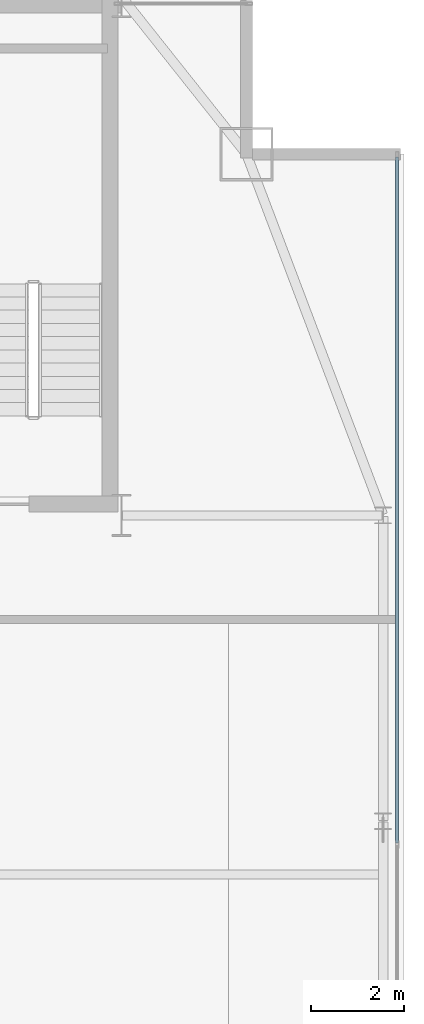
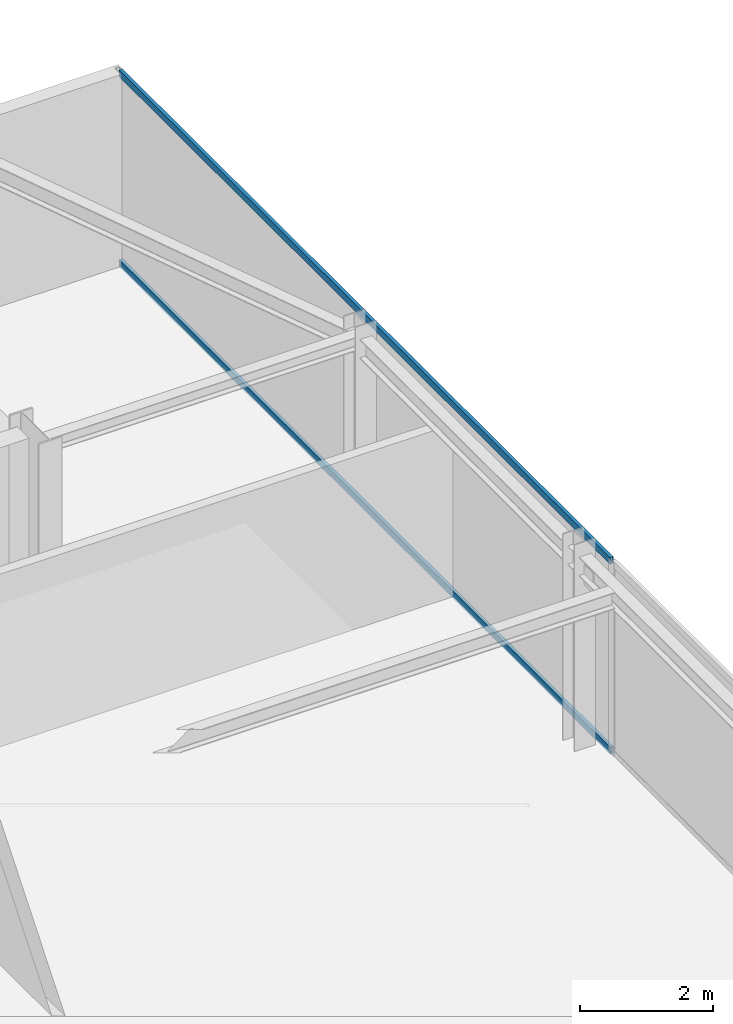
# One storey, part 16 of 25: 2 members, 1 element without a shape of its own.
"""IFC4 building model written with IfcOpenShell, lengths in metres."""

from ifc_helpers import new_model, si_unit, direction, frame, origin, origin_2d, place, context, subcontext, project, spatial, hollow_rectangle, extrude, source, transform, mapped, material, layer, layer_set, material_profile, profile_set, type_object, type_shapes, element, aggregate, save


model = new_model("IFC4")

# Units and contexts
model_context = context("Model", 3, precision=1e-05, world=origin(), true_north=direction((0.0, 1.0)))
body_context = subcontext(model_context, "Body", "Model", "MODEL_VIEW")
ifc_project = project(units=[si_unit("LENGTHUNIT", "METRE"), si_unit("AREAUNIT", "SQUARE_METRE"), si_unit("VOLUMEUNIT", "CUBIC_METRE"), si_unit("PLANEANGLEUNIT", "RADIAN"), si_unit("MASSUNIT", "GRAM", prefix="KILO")], contexts=[model_context])

# Site, building, storey
site_placement = place(None, origin())
site = spatial("IfcSite", under=ifc_project, at=site_placement, CompositionType="ELEMENT")
building_placement = place(site_placement, origin())
building = spatial("IfcBuilding", under=site, at=building_placement, Name="Varnel Quay Broadcast Tower", CompositionType="ELEMENT")
storey_placement = place(building_placement, frame((0.0, 0.0, 226.39990234375)))
storey = spatial("IfcBuildingStorey", under=building, at=storey_placement, Name="L56", CompositionType="ELEMENT", Elevation=226.39990234375)

# Curtain wall, members
ifc_material = material(Name="Anodised Bronze Aluminium 6063-T6", Category="aluminium")
ifc_layer = layer(ifc_material, 0.18994140625, Name="Anodised Bronze Aluminium 6063-T6")
ifc_layer_set = layer_set([ifc_layer], Name="Anodised Bronze Aluminium 6063-T6")
curtain_wall_type = type_object("IfcCurtainWallType", Name="CW_UpperTower", PredefinedType="NOTDEFINED", material=ifc_layer_set)
curtain_wall_placement = place(storey_placement, origin())
curtain_wall = element("IfcCurtainWall", 1, at=curtain_wall_placement, inside=storey, type_object=curtain_wall_type, Name="L56 East Unitised Curtain Wall", PredefinedType="NOTDEFINED")
ifc_material_profile = material_profile(ifc_material, hollow_rectangle(XDim=0.06005859375, YDim=0.125, WallThickness=0.0029296875, at=origin_2d()), Name="ALU60X125X3")
ifc_profile_set = profile_set([ifc_material_profile], Name="Anodised Bronze Aluminium 6063-T6")
member_type = type_object("IfcMemberType", Name="Tran_CWS-03", PredefinedType="USERDEFINED", material=ifc_profile_set)
shared_shape = source(origin(), body_context, "Body", "SweptSolid", [
    extrude(hollow_rectangle(XDim=0.06005859375, YDim=0.125, WallThickness=0.0029296875, at=origin_2d()), origin(), (0.0, 0.0, 1.0), 14.802490234375),
])
type_shapes(member_type, [shared_shape])
member_1_placement = place(storey_placement, frame((58.35009765625, 28.532470703125, 0.030029296875), z_axis=(0.0, 1.0, 0.0), x_axis=(-1.0, 0.0, 0.0)))
member_1 = element("IfcMember", 2, at=member_1_placement, type_object=member_type, Name="CWS-03 transom 2.1", ObjectType="TRANSOM", PredefinedType="USERDEFINED", context=body_context, shape_type="MappedRepresentation", body=[
    mapped(shared_shape, transform((0.0, 0.0, 0.0), x_axis=(1.0, 0.0, 0.0), y_axis=(0.0, 1.0, 0.0), z_axis=(0.0, 0.0, 1.0), scale=1.0)),
])
member_2_placement = place(storey_placement, frame((58.35009765625, 28.532470703125, 3.52001953125), z_axis=(0.0, 1.0, 0.0), x_axis=(-1.0, 0.0, 0.0)))
member_2 = element("IfcMember", 3, at=member_2_placement, type_object=member_type, Name="CWS-03 transom 2.2", ObjectType="TRANSOM", PredefinedType="USERDEFINED", context=body_context, shape_type="MappedRepresentation", body=[
    mapped(shared_shape, transform((0.0, 0.0, 0.0), x_axis=(1.0, 0.0, 0.0), y_axis=(0.0, 1.0, 0.0), z_axis=(0.0, 0.0, 1.0), scale=1.0)),
])
aggregate(curtain_wall, [member_1, member_2])

save(model, "model.ifc")
